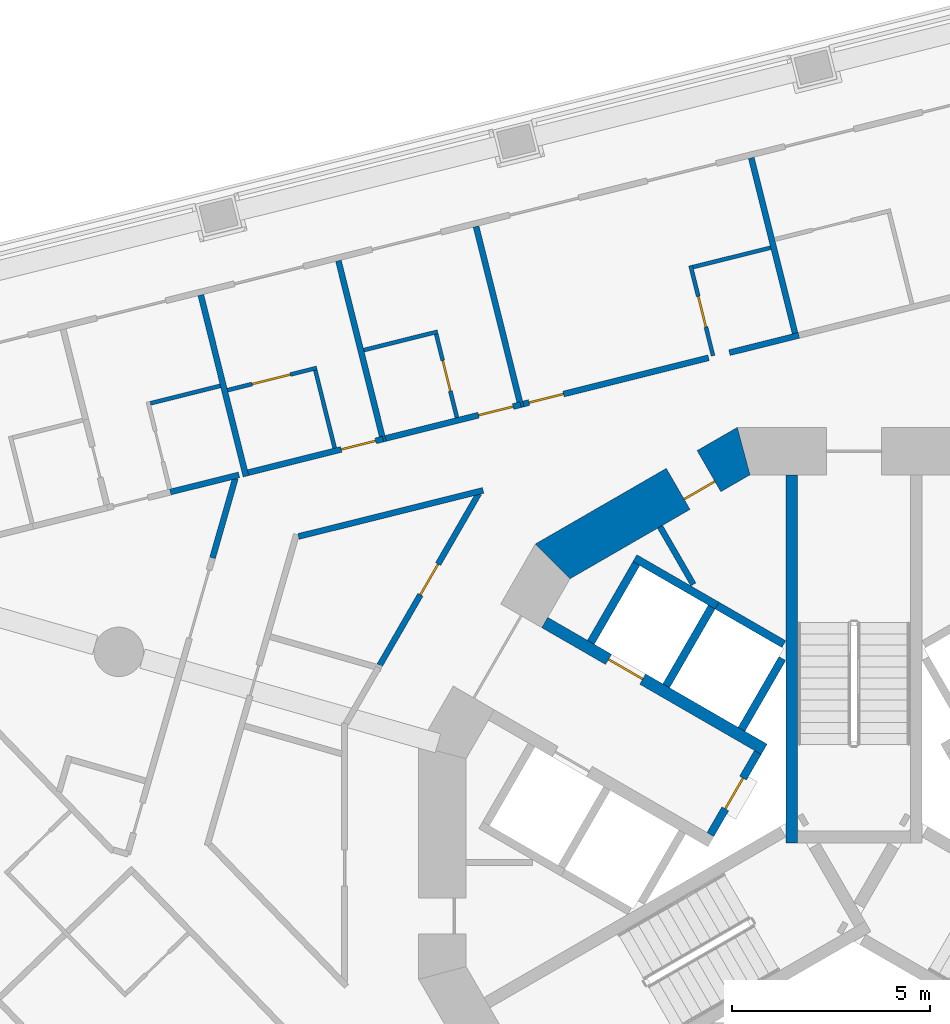
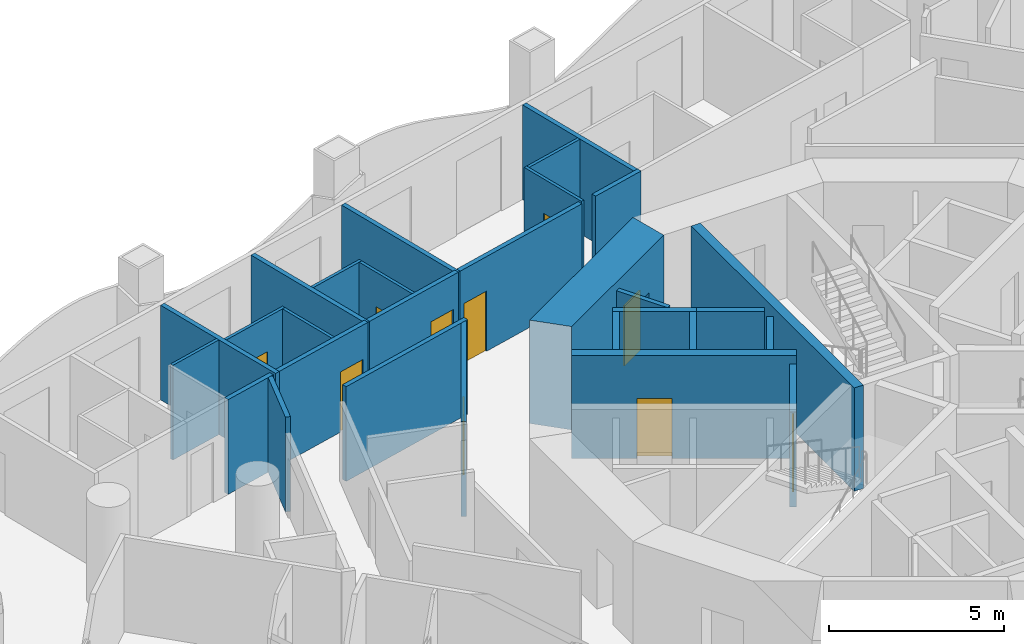
# One storey, part 7 of 18: 29 walls, 10 doors, 10 openings.
"""IFC4 building model written with IfcOpenShell, lengths in metres."""

from ifc_helpers import new_model, si_unit, direction, frame, frame_2d, origin, place, context, subcontext, project, spatial, polyline, rectangle, outline, extrude, material, layer, layer_set, type_object, element, fill, save


model = new_model("IFC4")

# Units and contexts
model_context = context("Model", 3, precision=1e-05, world=origin(), true_north=direction((0.0, 1.0)))
body_context = subcontext(model_context, "Body", "Model", "MODEL_VIEW")
ifc_project = project(units=[si_unit("LENGTHUNIT", "METRE"), si_unit("AREAUNIT", "SQUARE_METRE"), si_unit("VOLUMEUNIT", "CUBIC_METRE"), si_unit("PLANEANGLEUNIT", "RADIAN"), si_unit("MASSUNIT", "GRAM", prefix="KILO")], contexts=[model_context])

# Site, building, storey
site_placement = place(None, origin())
site = spatial("IfcSite", under=ifc_project, at=site_placement, CompositionType="ELEMENT")
building_placement = place(site_placement, origin())
building = spatial("IfcBuilding", under=site, at=building_placement, Name="Trine Commons Tower", CompositionType="ELEMENT")
storey_placement = place(building_placement, frame((0.0, 0.0, 94.5)))
storey = spatial("IfcBuildingStorey", under=building, at=storey_placement, Name="L23", CompositionType="ELEMENT", Elevation=94.5)

# Wall
ifc_material_1 = material(Name="Plasterboard partition on steel studs", Category="steel")
ifc_layer_1 = layer(ifc_material_1, 0.14990234375)
ifc_layer_set_1 = layer_set([ifc_layer_1], Name="Plasterboard partition on steel studs")
wall_type_1 = type_object("IfcWallType", Name="Core room partition 150 mm, EI 60", PredefinedType="PARTITIONING", material=ifc_layer_set_1)
wall_1_placement = place(storey_placement, frame((75.094970703125, 70.9970703125, 0.0), z_axis=(0.0, 0.0, 1.0), x_axis=(0.500115728942, -0.865958577338, 0.0)))
element("IfcWall", 1, at=wall_1_placement, inside=storey, type_object=wall_type_1, Name="Core room partition L23", PredefinedType="PARTITIONING", context=body_context, shape_type="SweptSolid", body=[
    extrude(rectangle(XDim=1.68359375, YDim=0.14990234375, at=frame_2d((0.841796875, 0.0))), origin(), (0.0, 0.0, 1.0), 3.300048828125),
])

# Wall, opening, door
ifc_material_2 = material(Name="Fire-rated gypsum shaft wall system")
ifc_layer_2 = layer(ifc_material_2, 0.199951171875)
ifc_layer_set_2 = layer_set([ifc_layer_2], Name="Fire-rated gypsum shaft wall system")
wall_type_2 = type_object("IfcWallType", Name="Lobby end wall 200 mm, EI 120", PredefinedType="PARTITIONING", material=ifc_layer_set_2)
wall_2_placement = place(storey_placement, frame((77.569091796875, 65.2890625, 0.0), z_axis=(0.0, 0.0, 1.0), x_axis=(-0.50012165622, -0.865955154139, 0.0)))
wall_2 = element("IfcWall", 2, at=wall_2_placement, inside=storey, type_object=wall_type_2, Name="Lobby end wall L23", PredefinedType="PARTITIONING", context=body_context, shape_type="SweptSolid", body=[
    extrude(rectangle(XDim=2.39990234375, YDim=0.199951171875, at=frame_2d((1.199951171875, 0.0))), origin(), (0.0, 0.0, 1.0), 3.300048828125),
])
opening_1_placement = place(wall_2_placement, frame((0.749755859375, 0.0, 0.0)))
opening_1 = element("IfcOpeningElement", 3, at=opening_1_placement, cuts=wall_2, Name="Opening K06.07", PredefinedType="OPENING", context=body_context, shape_type="SweptSolid", body=[
    extrude(rectangle(XDim=0.89990234375, YDim=2.10009765625, at=frame_2d((0.449951171875, 1.050048828125))), frame((0.0, 0.10986328125, 0.0), z_axis=(0.0, -1.0, 0.0), x_axis=(1.0, 0.0, 0.0)), (0.0, 0.0, 1.0), 0.219970703125),
])
ifc_material_3 = material(Name="Steel door leaf, fire-rated", Category="steel")
door_type_1 = type_object("IfcDoorType", Name="Riser access door, single leaf 900 x 2100, FD60", OperationType="SINGLE_SWING_LEFT", PredefinedType="DOOR", material=ifc_material_3)
door_1_placement = place(opening_1_placement, frame((0.89990234375, 0.0, 0.0), z_axis=(0.0, 0.0, 1.0), x_axis=(-1.0, 0.0, 0.0)))
door_1 = element("IfcDoor", 4, at=door_1_placement, inside=storey, type_object=door_type_1, Name="Riser door, Mechanical riser L23", OperationType="SINGLE_SWING_RIGHT", OverallHeight=2.10009765625, OverallWidth=0.89990234375, PredefinedType="DOOR", context=body_context, shape_type="SweptSolid", body=[
    extrude(rectangle(XDim=0.89990234375, YDim=2.10009765625, at=frame_2d((0.449951171875, 1.050048828125))), frame((0.0, 0.02490234375, 0.0), z_axis=(0.0, -1.0, 0.0), x_axis=(1.0, 0.0, 0.0)), (0.0, 0.0, 1.0), 0.050048828125),
])
fill(opening_1, door_1)

ifc_material_4 = material(Name="Concrete C70/85", Category="concrete")
ifc_layer_3 = layer(ifc_material_4, 1.199951171875)
ifc_layer_set_3 = layer_set([ifc_layer_3], Name="Concrete C70/85")
wall_type_3 = type_object("IfcWallType", Name="RC shear wall 1200 mm, C70/85", PredefinedType="SHEAR", material=ifc_layer_set_3)
wall_3_placement = place(storey_placement, frame((77.349609375, 72.991943359375, 0.0), z_axis=(0.0, 0.0, 1.0), x_axis=(-0.866037463336, -0.499979111662, 0.0)))
wall_3 = element("IfcWall", 5, at=wall_3_placement, inside=storey, type_object=wall_type_3, Name="Core wall CWC-05 L23", PredefinedType="SHEAR", context=body_context, shape_type="SweptSolid", body=[
    extrude(outline(polyline([(0.0, -0.60009765625), (5.901123046875, -0.60009765625), (5.57958984375, 0.60009765625), (0.321533203125, 0.60009765625), (0.0, -0.60009765625)])), origin(), (0.0, 0.0, 1.0), 3.60009765625),
])
opening_2_placement = place(wall_3_placement, frame((1.1748046875, 0.0, 0.0)))
opening_2 = element("IfcOpeningElement", 6, at=opening_2_placement, cuts=wall_3, Name="Opening K06.13", PredefinedType="OPENING", context=body_context, shape_type="SweptSolid", body=[
    extrude(rectangle(XDim=0.89990234375, YDim=2.10009765625, at=frame_2d((0.449951171875, 1.050048828125))), frame((0.0, 0.60986328125, 0.0), z_axis=(0.0, -1.0, 0.0), x_axis=(1.0, 0.0, 0.0)), (0.0, 0.0, 1.0), 1.219970703125),
])
door_type_2 = type_object("IfcDoorType", Name="Core room door, single leaf 900 x 2100, FD30S", OperationType="SINGLE_SWING_LEFT", PredefinedType="DOOR", material=ifc_material_3)
door_2_placement = place(opening_2_placement, origin())
door_2 = element("IfcDoor", 7, at=door_2_placement, inside=storey, type_object=door_type_2, Name="Door to Linen store L23", OperationType="SINGLE_SWING_LEFT", OverallHeight=2.10009765625, OverallWidth=0.89990234375, PredefinedType="DOOR", context=body_context, shape_type="SweptSolid", body=[
    extrude(rectangle(XDim=0.89990234375, YDim=2.10009765625, at=frame_2d((0.449951171875, 1.050048828125))), frame((0.0, 0.3251953125, 0.0), z_axis=(0.0, -1.0, 0.0), x_axis=(1.0, 0.0, 0.0)), (0.0, 0.0, 1.0), 0.050048828125),
])
fill(opening_2, door_2)

ifc_layer_4 = layer(ifc_material_4, 0.300048828125)
ifc_layer_set_4 = layer_set([ifc_layer_4], Name="Concrete C70/85")
wall_type_4 = type_object("IfcWallType", Name="RC shear wall 300 mm, C70/85", PredefinedType="SHEAR", material=ifc_layer_set_4)
wall_4_placement = place(storey_placement, frame((77.73095703125, 65.368896484375, 0.0), z_axis=(0.0, 0.0, 1.0), x_axis=(-0.866022631842, 0.500004801114, 0.0)))
wall_4 = element("IfcWall", 8, at=wall_4_placement, inside=storey, type_object=wall_type_4, Name="Core cross wall SWA-02 L23", PredefinedType="SHEAR", context=body_context, shape_type="SweptSolid", body=[
    extrude(rectangle(XDim=6.412109375, YDim=0.300048828125, at=frame_2d((3.2060546875, 0.0))), origin(), (0.0, 0.0, 1.0), 3.60009765625),
])
opening_3_placement = place(wall_4_placement, frame((3.55029296875, 0.0, 0.0)))
opening_3 = element("IfcOpeningElement", 9, at=opening_3_placement, cuts=wall_4, Name="Opening LD4", PredefinedType="OPENING", context=body_context, shape_type="SweptSolid", body=[
    extrude(rectangle(XDim=1.0, YDim=2.10009765625, at=frame_2d((0.5, 1.050048828125))), frame((0.0, 0.159912109375, 0.0), z_axis=(0.0, -1.0, 0.0), x_axis=(1.0, 0.0, 0.0)), (0.0, 0.0, 1.0), 0.320068359375),
])
ifc_material_5 = material(Name="Stainless steel sliding door leaves", Category="steel")
door_type_3 = type_object("IfcDoorType", Name="Lift landing door, centre-opening sliding 1000 x 2100, FD90", OperationType="DOUBLE_DOOR_SLIDING", PredefinedType="DOOR", material=ifc_material_5)
door_3_placement = place(opening_3_placement, origin())
door_3 = element("IfcDoor", 10, at=door_3_placement, inside=storey, type_object=door_type_3, Name="Lift landing door LR4 L23", OperationType="DOUBLE_DOOR_SLIDING", OverallHeight=2.10009765625, OverallWidth=1.0, PredefinedType="DOOR", context=body_context, shape_type="SweptSolid", body=[
    extrude(rectangle(XDim=1.0, YDim=2.10009765625, at=frame_2d((0.5, 1.050048828125))), frame((0.0, 0.02490234375, 0.0), z_axis=(0.0, -1.0, 0.0), x_axis=(1.0, 0.0, 0.0)), (0.0, 0.0, 1.0), 0.050048828125),
])
fill(opening_3, door_3)

# Walls
wall_5_placement = place(storey_placement, frame((78.425048828125, 63.0009765625, 0.0), z_axis=(0.0, 0.0, 1.0), x_axis=(0.0, 1.0, 0.0)))
element("IfcWall", 11, at=wall_5_placement, inside=storey, type_object=wall_type_4, Name="Core cross wall SWA-08 L23", PredefinedType="SHEAR", context=body_context, shape_type="SweptSolid", body=[
    extrude(rectangle(XDim=9.31103515625, YDim=0.300048828125, at=frame_2d((4.655517578125, 0.0))), origin(), (0.0, 0.0, 1.0), 3.60009765625),
])
ifc_layer_5 = layer(ifc_material_2, 0.199951171875)
ifc_layer_set_5 = layer_set([ifc_layer_5], Name="Fire-rated gypsum shaft wall system")
wall_type_5 = type_object("IfcWallType", Name="Shaft wall 200 mm, EI 120", PredefinedType="PARTITIONING", material=ifc_layer_set_5)
wall_6_placement = place(storey_placement, frame((73.344970703125, 68.073974609375, 0.0), z_axis=(0.0, 0.0, 1.0), x_axis=(0.500215680983, 0.865900844496, 0.0)))
element("IfcWall", 12, at=wall_6_placement, inside=storey, type_object=wall_type_5, Name="Shaft wall L23", PredefinedType="PARTITIONING", context=body_context, shape_type="SweptSolid", body=[
    extrude(rectangle(XDim=2.29931640625, YDim=0.199951171875, at=frame_2d((1.149658203125, 0.0))), origin(), (0.0, 0.0, 1.0), 3.300048828125),
])
wall_7_placement = place(storey_placement, frame((75.2509765625, 66.97412109375, 0.0), z_axis=(0.0, 0.0, 1.0), x_axis=(0.500136062276, 0.86594683394, 0.0)))
element("IfcWall", 13, at=wall_7_placement, inside=storey, type_object=wall_type_5, Name="Shaft wall L23", PredefinedType="PARTITIONING", context=body_context, shape_type="SweptSolid", body=[
    extrude(rectangle(XDim=2.299072265625, YDim=0.199951171875, at=frame_2d((1.1494140625, 0.0))), origin(), (0.0, 0.0, 1.0), 3.300048828125),
])
wall_8_placement = place(storey_placement, frame((76.5380859375, 69.001953125, 0.0), z_axis=(0.0, 0.0, 1.0), x_axis=(-0.866202511239, 0.499693115345, 0.0)))
element("IfcWall", 14, at=wall_8_placement, inside=storey, type_object=wall_type_5, Name="Shaft wall L23", PredefinedType="PARTITIONING", context=body_context, shape_type="SweptSolid", body=[
    extrude(rectangle(XDim=2.4013671875, YDim=0.199951171875, at=frame_2d((1.20068359375, 0.0))), origin(), (0.0, 0.0, 1.0), 3.300048828125),
])
wall_9_placement = place(storey_placement, frame((77.156005859375, 65.8740234375, 0.0), z_axis=(0.0, 0.0, 1.0), x_axis=(0.499865770674, 0.866102887253, 0.0)))
element("IfcWall", 15, at=wall_9_placement, inside=storey, type_object=wall_type_5, Name="Shaft wall L23", PredefinedType="PARTITIONING", context=body_context, shape_type="SweptSolid", body=[
    extrude(rectangle(XDim=2.064453125, YDim=0.199951171875, at=frame_2d((1.0322265625, 0.0))), origin(), (0.0, 0.0, 1.0), 3.300048828125),
])
wall_10_placement = place(storey_placement, frame((78.22509765625, 68.028076171875, 0.0), z_axis=(0.0, 0.0, 1.0), x_axis=(-0.866052014814, 0.499953905513, 0.0)))
element("IfcWall", 16, at=wall_10_placement, inside=storey, type_object=wall_type_5, Name="Shaft wall L23", PredefinedType="PARTITIONING", context=body_context, shape_type="SweptSolid", body=[
    extrude(rectangle(XDim=1.947998046875, YDim=0.199951171875, at=frame_2d((0.97412109375, 0.0))), origin(), (0.0, 0.0, 1.0), 3.300048828125),
])
ifc_material_6 = material(Name="Gypsum plasterboard on steel stud", Category="steel")
ifc_layer_6 = layer(ifc_material_6, 0.14990234375)
ifc_layer_set_6 = layer_set([ifc_layer_6], Name="Gypsum plasterboard on steel stud")
wall_type_6 = type_object("IfcWallType", Name="Unit and corridor wall 150 mm, EI 60", PredefinedType="PARTITIONING", material=ifc_layer_set_6)
wall_11_placement = place(storey_placement, frame((62.705078125, 71.8759765625, 0.0), z_axis=(0.0, 0.0, 1.0), x_axis=(0.970318656337, 0.241829909573, 0.0)))
element("IfcWall", 17, at=wall_11_placement, inside=storey, type_object=wall_type_6, Name="Partition 022", PredefinedType="PARTITIONING", context=body_context, shape_type="SweptSolid", body=[
    extrude(rectangle(XDim=1.791015625, YDim=0.14990234375, at=frame_2d((0.8955078125, 0.0))), origin(), (0.0, 0.0, 1.0), 3.300048828125),
])
wall_12_placement = place(storey_placement, frame((63.476806640625, 76.858154296875, 0.0), z_axis=(0.0, 0.0, 1.0), x_axis=(0.242049130854, -0.970263994103, 0.0)))
element("IfcWall", 18, at=wall_12_placement, inside=storey, type_object=wall_type_6, Name="Partition 024", PredefinedType="PARTITIONING", context=body_context, shape_type="SweptSolid", body=[
    extrude(rectangle(XDim=4.723388671875, YDim=0.14990234375, at=frame_2d((2.36181640625, 0.0))), origin(), (0.0, 0.0, 1.0), 3.300048828125),
])
wall_13_placement = place(storey_placement, frame((63.77392578125, 70.2099609375, 0.0), z_axis=(0.0, 0.0, 1.0), x_axis=(0.275353680299, 0.961342993289, 0.0)))
element("IfcWall", 19, at=wall_13_placement, inside=storey, type_object=wall_type_6, Name="Partition 027", PredefinedType="PARTITIONING", context=body_context, shape_type="SweptSolid", body=[
    extrude(rectangle(XDim=2.08984375, YDim=0.14990234375, at=frame_2d((1.044921875, 0.0))), origin(), (0.0, 0.0, 1.0), 3.300048828125),
])

# Wall, opening, door
wall_14_placement = place(storey_placement, frame((64.6708984375, 72.3662109375, 0.0), z_axis=(0.0, 0.0, 1.0), x_axis=(0.97035426046, 0.241687006697, 0.0)))
wall_14 = element("IfcWall", 20, at=wall_14_placement, inside=storey, type_object=wall_type_6, Name="Partition 030", PredefinedType="PARTITIONING", context=body_context, shape_type="SweptSolid", body=[
    extrude(rectangle(XDim=3.520263671875, YDim=0.14990234375, at=frame_2d((1.76025390625, 0.0))), origin(), (0.0, 0.0, 1.0), 3.300048828125),
])
opening_4_placement = place(wall_14_placement, frame((2.429931640625, 0.0, 0.0)))
opening_4 = element("IfcOpeningElement", 21, at=opening_4_placement, cuts=wall_14, Name="Opening D-3A09", PredefinedType="OPENING", context=body_context, shape_type="SweptSolid", body=[
    extrude(rectangle(XDim=0.89990234375, YDim=2.10009765625, at=frame_2d((0.449951171875, 1.050048828125))), frame((0.0, 0.0849609375, 0.0), z_axis=(0.0, -1.0, 0.0), x_axis=(1.0, 0.0, 0.0)), (0.0, 0.0, 1.0), 0.169921875),
])
ifc_material_7 = material(Name="Timber fire door set", Category="wood")
door_type_4 = type_object("IfcDoorType", Name="Bedroom door 900 x 2100, FD30S", OperationType="NOTDEFINED", PredefinedType="DOOR", material=ifc_material_7)
door_4_placement = place(opening_4_placement, origin())
door_4 = element("IfcDoor", 22, at=door_4_placement, inside=storey, type_object=door_type_4, Name="Door D-3A09", OperationType="SINGLE_SWING_RIGHT", OverallHeight=2.10009765625, OverallWidth=0.89990234375, PredefinedType="DOOR", context=body_context, shape_type="SweptSolid", body=[
    extrude(rectangle(XDim=0.89990234375, YDim=2.10009765625, at=frame_2d((0.449951171875, 1.050048828125))), frame((0.0, 0.02490234375, 0.0), z_axis=(0.0, -1.0, 0.0), x_axis=(1.0, 0.0, 0.0)), (0.0, 0.0, 1.0), 0.050048828125),
])
fill(opening_4, door_4)

# Walls
wall_15_placement = place(storey_placement, frame((65.94677734375, 70.751220703125, 0.0), z_axis=(0.0, 0.0, 1.0), x_axis=(0.970300367674, 0.241903279206, 0.0)))
element("IfcWall", 23, at=wall_15_placement, inside=storey, type_object=wall_type_6, Name="Partition 032", PredefinedType="PARTITIONING", context=body_context, shape_type="SweptSolid", body=[
    extrude(rectangle(XDim=4.815185546875, YDim=0.14990234375, at=frame_2d((2.40771484375, 0.0))), origin(), (0.0, 0.0, 1.0), 3.300048828125),
])
wall_16_placement = place(storey_placement, frame((66.958740234375, 77.726318359375, 0.0), z_axis=(0.0, 0.0, 1.0), x_axis=(0.24185448203, -0.970312531879, 0.0)))
element("IfcWall", 24, at=wall_16_placement, inside=storey, type_object=wall_type_6, Name="Partition 035", PredefinedType="PARTITIONING", context=body_context, shape_type="SweptSolid", body=[
    extrude(rectangle(XDim=4.72314453125, YDim=0.14990234375, at=frame_2d((2.361572265625, 0.0))), origin(), (0.0, 0.0, 1.0), 3.300048828125),
])

# Wall, opening, door
wall_17_placement = place(storey_placement, frame((68.00244140625, 67.493896484375, 0.0), z_axis=(0.0, 0.0, 1.0), x_axis=(0.499945814907, 0.866056685303, 0.0)))
wall_17 = element("IfcWall", 25, at=wall_17_placement, inside=storey, type_object=wall_type_6, Name="Partition 039", PredefinedType="PARTITIONING", context=body_context, shape_type="SweptSolid", body=[
    extrude(rectangle(XDim=5.0146484375, YDim=0.14990234375, at=frame_2d((2.50732421875, 0.0))), origin(), (0.0, 0.0, 1.0), 3.300048828125),
])
opening_5_placement = place(wall_17_placement, frame((2.057373046875, 0.0, 0.0)))
opening_5 = element("IfcOpeningElement", 26, at=opening_5_placement, cuts=wall_17, Name="Opening D-3A33", PredefinedType="OPENING", context=body_context, shape_type="SweptSolid", body=[
    extrude(rectangle(XDim=0.89990234375, YDim=2.10009765625, at=frame_2d((0.449951171875, 1.050048828125))), frame((0.0, 0.0849609375, 0.0), z_axis=(0.0, -1.0, 0.0), x_axis=(1.0, 0.0, 0.0)), (0.0, 0.0, 1.0), 0.169921875),
])
door_type_5 = type_object("IfcDoorType", Name="Service door 900 x 2100, FD30S", OperationType="NOTDEFINED", PredefinedType="DOOR", material=ifc_material_7)
door_5_placement = place(opening_5_placement, origin())
door_5 = element("IfcDoor", 27, at=door_5_placement, inside=storey, type_object=door_type_5, Name="Door D-3A33", OperationType="SINGLE_SWING_LEFT", OverallHeight=2.10009765625, OverallWidth=0.89990234375, PredefinedType="DOOR", context=body_context, shape_type="SweptSolid", body=[
    extrude(rectangle(XDim=0.89990234375, YDim=2.10009765625, at=frame_2d((0.449951171875, 1.050048828125))), frame((0.0, 0.02490234375, 0.0), z_axis=(0.0, -1.0, 0.0), x_axis=(1.0, 0.0, 0.0)), (0.0, 0.0, 1.0), 0.050048828125),
])
fill(opening_5, door_5)

wall_18_placement = place(storey_placement, frame((68.15185546875, 73.233154296875, 0.0), z_axis=(0.0, 0.0, 1.0), x_axis=(0.970244352723, 0.242127850544, 0.0)))
wall_18 = element("IfcWall", 28, at=wall_18_placement, inside=storey, type_object=wall_type_6, Name="Partition 040", PredefinedType="PARTITIONING", context=body_context, shape_type="SweptSolid", body=[
    extrude(rectangle(XDim=3.52197265625, YDim=0.14990234375, at=frame_2d((1.760986328125, 0.0))), origin(), (0.0, 0.0, 1.0), 3.300048828125),
])
opening_6_placement = place(wall_18_placement, frame((2.424072265625, 0.0, 0.0)))
opening_6 = element("IfcOpeningElement", 29, at=opening_6_placement, cuts=wall_18, Name="Opening D-3A10", PredefinedType="OPENING", context=body_context, shape_type="SweptSolid", body=[
    extrude(rectangle(XDim=0.89990234375, YDim=2.10009765625, at=frame_2d((0.449951171875, 1.050048828125))), frame((0.0, 0.0849609375, 0.0), z_axis=(0.0, -1.0, 0.0), x_axis=(1.0, 0.0, 0.0)), (0.0, 0.0, 1.0), 0.169921875),
])
door_6_placement = place(opening_6_placement, origin())
door_6 = element("IfcDoor", 30, at=door_6_placement, inside=storey, type_object=door_type_4, Name="Door D-3A10", OperationType="SINGLE_SWING_RIGHT", OverallHeight=2.10009765625, OverallWidth=0.89990234375, PredefinedType="DOOR", context=body_context, shape_type="SweptSolid", body=[
    extrude(rectangle(XDim=0.89990234375, YDim=2.10009765625, at=frame_2d((0.449951171875, 1.050048828125))), frame((0.0, 0.02490234375, 0.0), z_axis=(0.0, -1.0, 0.0), x_axis=(1.0, 0.0, 0.0)), (0.0, 0.0, 1.0), 0.050048828125),
])
fill(opening_6, door_6)

# Wall
wall_19_placement = place(storey_placement, frame((70.440673828125, 78.59423828125, 0.0), z_axis=(0.0, 0.0, 1.0), x_axis=(0.241903012142, -0.970300434256, 0.0)))
element("IfcWall", 31, at=wall_19_placement, inside=storey, type_object=wall_type_6, Name="Partition 047", PredefinedType="PARTITIONING", context=body_context, shape_type="SweptSolid", body=[
    extrude(rectangle(XDim=4.72216796875, YDim=0.14990234375, at=frame_2d((2.361083984375, 0.0))), origin(), (0.0, 0.0, 1.0), 3.300048828125),
])

# Wall, opening, door
wall_20_placement = place(storey_placement, frame((71.6337890625, 74.10205078125, 0.0), z_axis=(0.0, 0.0, 1.0), x_axis=(0.9702938954, 0.241929238722, 0.0)))
wall_20 = element("IfcWall", 32, at=wall_20_placement, inside=storey, type_object=wall_type_6, Name="Partition 050", PredefinedType="PARTITIONING", context=body_context, shape_type="SweptSolid", body=[
    extrude(rectangle(XDim=4.831787109375, YDim=0.14990234375, at=frame_2d((2.416015625, 0.0))), origin(), (0.0, 0.0, 1.0), 3.300048828125),
])
opening_7_placement = place(wall_20_placement, frame((0.14990234375, 0.0, 0.0)))
opening_7 = element("IfcOpeningElement", 33, at=opening_7_placement, cuts=wall_20, Name="Opening D-3A11", PredefinedType="OPENING", context=body_context, shape_type="SweptSolid", body=[
    extrude(rectangle(XDim=0.89990234375, YDim=2.10009765625, at=frame_2d((0.449951171875, 1.050048828125))), frame((0.0, 0.0849609375, 0.0), z_axis=(0.0, -1.0, 0.0), x_axis=(1.0, 0.0, 0.0)), (0.0, 0.0, 1.0), 0.169921875),
])
door_7_placement = place(opening_7_placement, origin())
door_7 = element("IfcDoor", 34, at=door_7_placement, inside=storey, type_object=door_type_4, Name="Door D-3A11", OperationType="SINGLE_SWING_LEFT", OverallHeight=2.10009765625, OverallWidth=0.89990234375, PredefinedType="DOOR", context=body_context, shape_type="SweptSolid", body=[
    extrude(rectangle(XDim=0.89990234375, YDim=2.10009765625, at=frame_2d((0.449951171875, 1.050048828125))), frame((0.0, 0.02490234375, 0.0), z_axis=(0.0, -1.0, 0.0), x_axis=(1.0, 0.0, 0.0)), (0.0, 0.0, 1.0), 0.050048828125),
])
fill(opening_7, door_7)

# Walls
wall_21_placement = place(storey_placement, frame((76.84912109375, 75.402099609375, 0.0), z_axis=(0.0, 0.0, 1.0), x_axis=(0.97026143667, 0.242059382198, 0.0)))
element("IfcWall", 35, at=wall_21_placement, inside=storey, type_object=wall_type_6, Name="Partition 059", PredefinedType="PARTITIONING", context=body_context, shape_type="SweptSolid", body=[
    extrude(rectangle(XDim=1.809326171875, YDim=0.14990234375, at=frame_2d((0.90478515625, 0.0))), origin(), (0.0, 0.0, 1.0), 3.300048828125),
])
wall_22_placement = place(storey_placement, frame((77.40380859375, 80.330078125, 0.0), z_axis=(0.0, 0.0, 1.0), x_axis=(0.241945064156, -0.970289949412, 0.0)))
element("IfcWall", 36, at=wall_22_placement, inside=storey, type_object=wall_type_6, Name="Partition 060", PredefinedType="PARTITIONING", context=body_context, shape_type="SweptSolid", body=[
    extrude(rectangle(XDim=4.572021484375, YDim=0.14990234375, at=frame_2d((2.2861328125, 0.0))), origin(), (0.0, 0.0, 1.0), 3.300048828125),
])
ifc_layer_7 = layer(ifc_material_6, 0.10009765625)
ifc_layer_set_7 = layer_set([ifc_layer_7], Name="Gypsum plasterboard on steel stud")
wall_type_7 = type_object("IfcWallType", Name="Unit partition 100 mm, no rating", PredefinedType="PARTITIONING", material=ifc_layer_set_7)
wall_23_placement = place(storey_placement, frame((62.201416015625, 74.1201171875, 0.0), z_axis=(0.0, 0.0, 1.0), x_axis=(0.970276128406, 0.242000484804, 0.0)))
element("IfcWall", 37, at=wall_23_placement, inside=storey, type_object=wall_type_7, Name="Partition 021", PredefinedType="PARTITIONING", context=body_context, shape_type="SweptSolid", body=[
    extrude(rectangle(XDim=1.824951171875, YDim=0.10009765625, at=frame_2d((0.91259765625, 0.0))), origin(), (0.0, 0.0, 1.0), 3.300048828125),
])

# Wall, opening, door
wall_24_placement = place(storey_placement, frame((64.15380859375, 74.453125, 0.0), z_axis=(0.0, 0.0, 1.0), x_axis=(0.970358256462, 0.241670962499, 0.0)))
wall_24 = element("IfcWall", 38, at=wall_24_placement, inside=storey, type_object=wall_type_7, Name="Partition 028", PredefinedType="PARTITIONING", context=body_context, shape_type="SweptSolid", body=[
    extrude(rectangle(XDim=2.325439453125, YDim=0.10009765625, at=frame_2d((1.16259765625, 0.0))), origin(), (0.0, 0.0, 1.0), 3.300048828125),
])
opening_8_placement = place(wall_24_placement, frame((0.6376953125, 0.0, 0.0)))
opening_8 = element("IfcOpeningElement", 39, at=opening_8_placement, cuts=wall_24, Name="Opening D-3A38", PredefinedType="OPENING", context=body_context, shape_type="SweptSolid", body=[
    extrude(rectangle(XDim=1.0, YDim=2.10009765625, at=frame_2d((0.5, 1.050048828125))), frame((0.0, 0.06005859375, 0.0), z_axis=(0.0, -1.0, 0.0), x_axis=(1.0, 0.0, 0.0)), (0.0, 0.0, 1.0), 0.1201171875),
])
ifc_material_8 = material(Name="Painted timber", Category="wood")
door_type_6 = type_object("IfcDoorType", Name="Internal door 1000 x 2100, NOT RATED", OperationType="NOTDEFINED", PredefinedType="DOOR", material=ifc_material_8)
door_8_placement = place(opening_8_placement, origin())
door_8 = element("IfcDoor", 40, at=door_8_placement, inside=storey, type_object=door_type_6, Name="Door D-3A38", OperationType="SINGLE_SWING_LEFT", OverallHeight=2.10009765625, OverallWidth=1.0, PredefinedType="DOOR", context=body_context, shape_type="SweptSolid", body=[
    extrude(rectangle(XDim=1.0, YDim=2.10009765625, at=frame_2d((0.5, 1.050048828125))), frame((0.0, 0.02490234375, 0.0), z_axis=(0.0, -1.0, 0.0), x_axis=(1.0, 0.0, 0.0)), (0.0, 0.0, 1.0), 0.050048828125),
])
fill(opening_8, door_8)

# Walls
wall_25_placement = place(storey_placement, frame((66.3740234375, 74.95458984375, 0.0), z_axis=(0.0, 0.0, 1.0), x_axis=(0.241968232274, -0.97028417207, 0.0)))
element("IfcWall", 41, at=wall_25_placement, inside=storey, type_object=wall_type_7, Name="Partition 033", PredefinedType="PARTITIONING", context=body_context, shape_type="SweptSolid", body=[
    extrude(rectangle(XDim=2.02490234375, YDim=0.10009765625, at=frame_2d((1.012451171875, 0.0))), origin(), (0.0, 0.0, 1.0), 3.300048828125),
])
wall_26_placement = place(storey_placement, frame((67.599853515625, 75.46630859375, 0.0), z_axis=(0.0, 0.0, 1.0), x_axis=(0.970276645771, 0.241998410475, 0.0)))
element("IfcWall", 42, at=wall_26_placement, inside=storey, type_object=wall_type_7, Name="Partition 038", PredefinedType="PARTITIONING", context=body_context, shape_type="SweptSolid", body=[
    extrude(rectangle(XDim=1.9248046875, YDim=0.10009765625, at=frame_2d((0.96240234375, 0.0))), origin(), (0.0, 0.0, 1.0), 3.300048828125),
])

# Wall, opening, door
wall_27_placement = place(storey_placement, frame((69.43115234375, 75.87158203125, 0.0), z_axis=(0.0, 0.0, 1.0), x_axis=(0.241637657135, -0.970366550668, 0.0)))
wall_27 = element("IfcWall", 43, at=wall_27_placement, inside=storey, type_object=wall_type_7, Name="Partition 044", PredefinedType="PARTITIONING", context=body_context, shape_type="SweptSolid", body=[
    extrude(rectangle(XDim=2.17529296875, YDim=0.10009765625, at=frame_2d((1.087646484375, 0.0))), origin(), (0.0, 0.0, 1.0), 3.300048828125),
])
opening_9_placement = place(wall_27_placement, frame((0.6875, 0.0, 0.0)))
opening_9 = element("IfcOpeningElement", 44, at=opening_9_placement, cuts=wall_27, Name="Opening D-3A39", PredefinedType="OPENING", context=body_context, shape_type="SweptSolid", body=[
    extrude(rectangle(XDim=0.800048828125, YDim=2.10009765625, at=frame_2d((0.39990234375, 1.050048828125))), frame((0.0, 0.06005859375, 0.0), z_axis=(0.0, -1.0, 0.0), x_axis=(1.0, 0.0, 0.0)), (0.0, 0.0, 1.0), 0.1201171875),
])
door_type_7 = type_object("IfcDoorType", Name="Internal door 800 x 2100, NOT RATED", OperationType="NOTDEFINED", PredefinedType="DOOR", material=ifc_material_8)
door_9_placement = place(opening_9_placement, origin())
door_9 = element("IfcDoor", 45, at=door_9_placement, inside=storey, type_object=door_type_7, Name="Door D-3A39", OperationType="SINGLE_SWING_RIGHT", OverallHeight=2.10009765625, OverallWidth=0.800048828125, PredefinedType="DOOR", context=body_context, shape_type="SweptSolid", body=[
    extrude(rectangle(XDim=0.800048828125, YDim=2.10009765625, at=frame_2d((0.39990234375, 1.050048828125))), frame((0.0, 0.02490234375, 0.0), z_axis=(0.0, -1.0, 0.0), x_axis=(1.0, 0.0, 0.0)), (0.0, 0.0, 1.0), 0.050048828125),
])
fill(opening_9, door_9)

wall_28_placement = place(storey_placement, frame((75.867919921875, 77.603515625, 0.0), z_axis=(0.0, 0.0, 1.0), x_axis=(0.241728942951, -0.970343814398, 0.0)))
wall_28 = element("IfcWall", 46, at=wall_28_placement, inside=storey, type_object=wall_type_7, Name="Partition 053", PredefinedType="PARTITIONING", context=body_context, shape_type="SweptSolid", body=[
    extrude(rectangle(XDim=2.35009765625, YDim=0.10009765625, at=frame_2d((1.175048828125, 0.0))), origin(), (0.0, 0.0, 1.0), 3.300048828125),
])
opening_10_placement = place(wall_28_placement, frame((0.800048828125, 0.0, 0.0)))
opening_10 = element("IfcOpeningElement", 47, at=opening_10_placement, cuts=wall_28, Name="Opening D-3A40", PredefinedType="OPENING", context=body_context, shape_type="SweptSolid", body=[
    extrude(rectangle(XDim=0.800048828125, YDim=2.10009765625, at=frame_2d((0.39990234375, 1.050048828125))), frame((0.0, 0.06005859375, 0.0), z_axis=(0.0, -1.0, 0.0), x_axis=(1.0, 0.0, 0.0)), (0.0, 0.0, 1.0), 0.1201171875),
])
door_10_placement = place(opening_10_placement, frame((0.800048828125, 0.0, 0.0), z_axis=(0.0, 0.0, 1.0), x_axis=(-1.0, 0.0, 0.0)))
door_10 = element("IfcDoor", 48, at=door_10_placement, inside=storey, type_object=door_type_7, Name="Door D-3A40", OperationType="SINGLE_SWING_LEFT", OverallHeight=2.10009765625, OverallWidth=0.800048828125, PredefinedType="DOOR", context=body_context, shape_type="SweptSolid", body=[
    extrude(rectangle(XDim=0.800048828125, YDim=2.10009765625, at=frame_2d((0.39990234375, 1.050048828125))), frame((0.0, 0.02490234375, 0.0), z_axis=(0.0, -1.0, 0.0), x_axis=(1.0, 0.0, 0.0)), (0.0, 0.0, 1.0), 0.050048828125),
])
fill(opening_10, door_10)

# Wall
wall_29_placement = place(storey_placement, frame((75.928466796875, 77.567138671875, 0.0), z_axis=(0.0, 0.0, 1.0), x_axis=(0.97031247159, 0.241854723908, 0.0)))
element("IfcWall", 49, at=wall_29_placement, inside=storey, type_object=wall_type_7, Name="Partition 054", PredefinedType="PARTITIONING", context=body_context, shape_type="SweptSolid", body=[
    extrude(rectangle(XDim=2.02490234375, YDim=0.10009765625, at=frame_2d((1.012451171875, 0.0))), origin(), (0.0, 0.0, 1.0), 3.300048828125),
])

save(model, "model.ifc")
